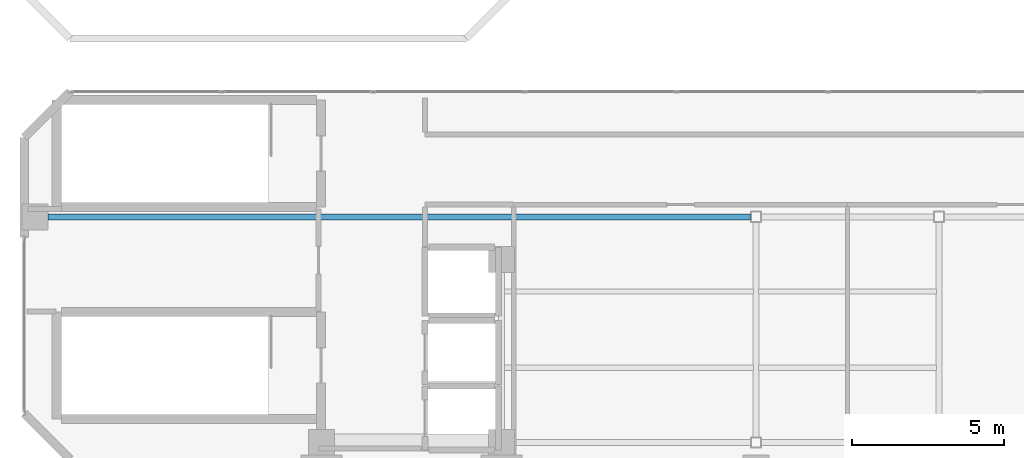
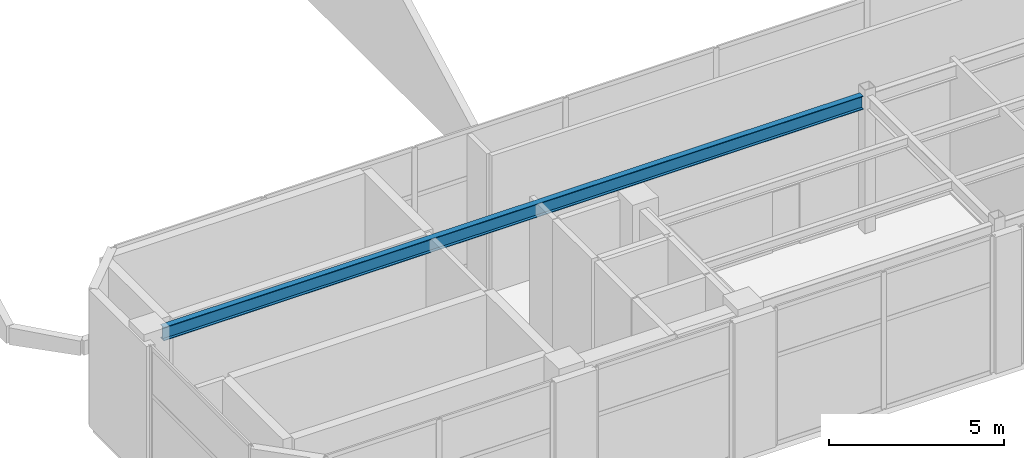
# One storey, part 4 of 12: 1 beam.
"""IFC4 building model written with IfcOpenShell, lengths in metres."""

from ifc_helpers import new_model, si_unit, direction, frame, origin, origin_2d, place, context, subcontext, project, spatial, i_section, extrude, material, material_profile, profile_set, type_object, element, save


model = new_model("IFC4")

# Units and contexts
model_context = context("Model", 3, precision=1e-05, world=origin(), true_north=direction((0.0, 1.0)))
body_context = subcontext(model_context, "Body", "Model", "MODEL_VIEW")
ifc_project = project(units=[si_unit("LENGTHUNIT", "METRE"), si_unit("AREAUNIT", "SQUARE_METRE"), si_unit("VOLUMEUNIT", "CUBIC_METRE"), si_unit("PLANEANGLEUNIT", "RADIAN"), si_unit("MASSUNIT", "GRAM", prefix="KILO")], contexts=[model_context])

# Site, building, storey
site_placement = place(None, origin())
site = spatial("IfcSite", under=ifc_project, at=site_placement, CompositionType="ELEMENT")
building_placement = place(site_placement, origin())
building = spatial("IfcBuilding", under=site, at=building_placement, Name="Mawjaban Terraces University", CompositionType="ELEMENT")
storey_placement = place(building_placement, frame((0.0, 0.0, 321.699951171875)))
storey = spatial("IfcBuildingStorey", under=building, at=storey_placement, Name="L78", CompositionType="ELEMENT", Elevation=321.699951171875)

# Beam
ifc_material = material(Name="Steel ASTM A572 Grade 50", Category="steel")
ifc_material_profile = material_profile(ifc_material, i_section(OverallWidth=0.194091796875, OverallDepth=0.468994140625, WebThickness=0.011474609375, FlangeThickness=0.0205078125, at=origin_2d()), Name="W460X106")
ifc_profile_set = profile_set([ifc_material_profile], Name="Steel ASTM A572 Grade 50")
beam_type = type_object("IfcBeamType", Name="Beam_B_W460X106", PredefinedType="BEAM", material=ifc_profile_set)
beam_placement = place(storey_placement, frame((22.77490234375, 7.949951171875, 4.525146484375), z_axis=(1.0, 0.0, 0.0), x_axis=(0.0, 1.0, 0.0)))
element("IfcBeam", 1, at=beam_placement, inside=storey, type_object=beam_type, Name="L78 Beam BM-L78-EW-04", PredefinedType="BEAM", context=body_context, shape_type="SweptSolid", body=[
    extrude(i_section(OverallWidth=0.194091796875, OverallDepth=0.468994140625, WebThickness=0.011474609375, FlangeThickness=0.0205078125, at=origin_2d()), origin(), (0.0, 0.0, 1.0), 23.050048828125),
])

save(model, "model.ifc")
